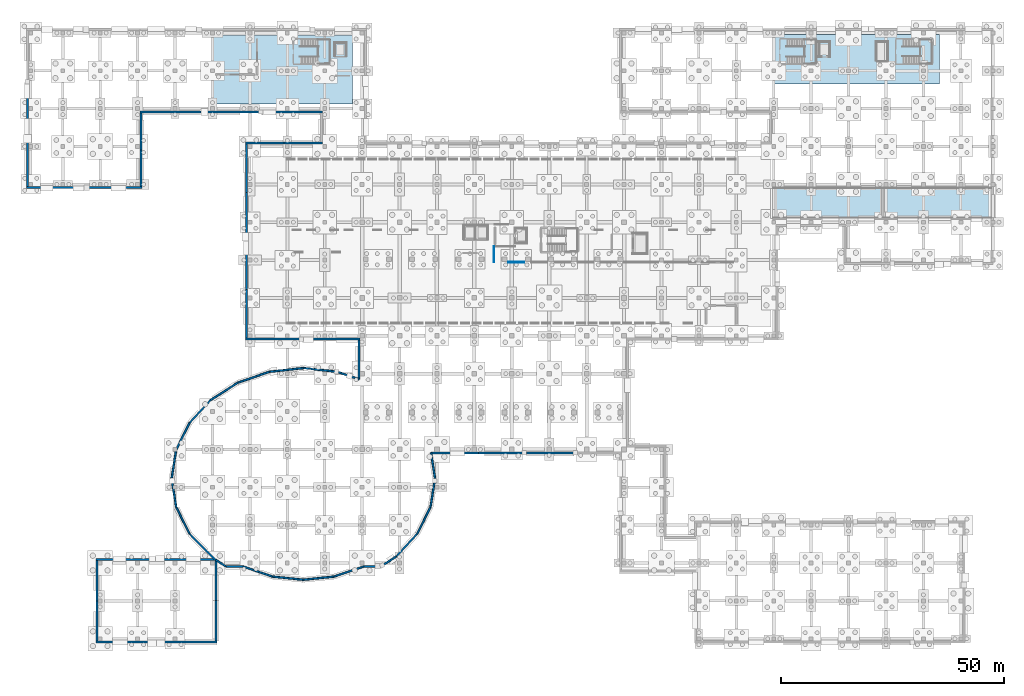
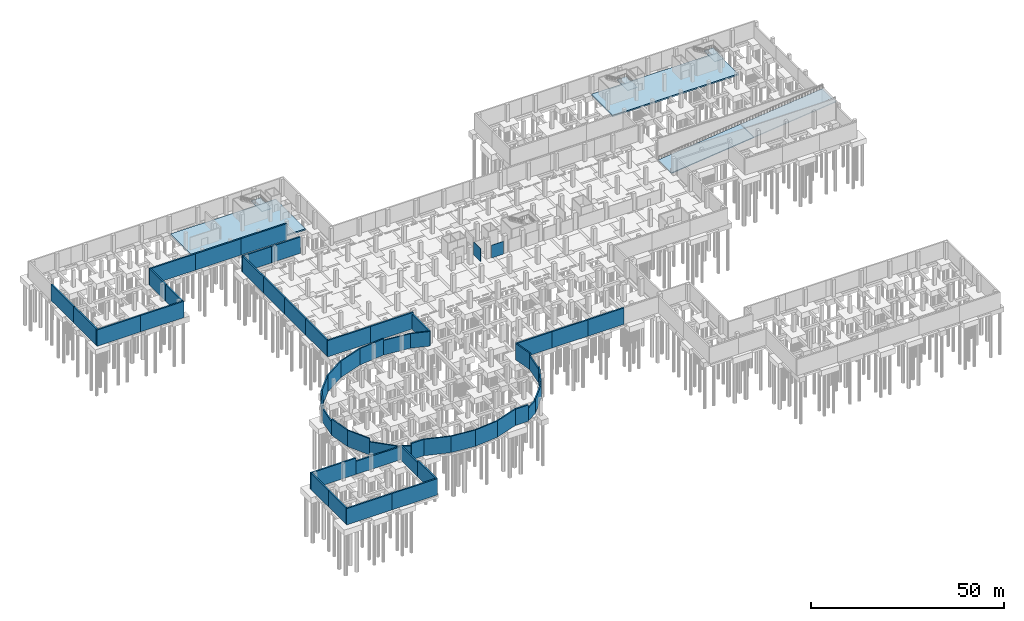
# One storey, part 24 of 34: 54 walls, 7 slabs, 3 elements without a shape of their own.
"""IFC4 building model written with IfcOpenShell, lengths in metres."""

from ifc_helpers import new_model, si_unit, direction, frame, frame_2d, origin, place, context, subcontext, project, spatial, polyline, rectangle, outline, extrude, material, layer, layer_set, type_object, element, aggregate, save


model = new_model("IFC4")

# Units and contexts
model_context = context("Model", 3, precision=1e-05, world=origin(), true_north=direction((0.0, 1.0)))
body_context = subcontext(model_context, "Body", "Model", "MODEL_VIEW")
ifc_project = project(units=[si_unit("LENGTHUNIT", "METRE"), si_unit("AREAUNIT", "SQUARE_METRE"), si_unit("VOLUMEUNIT", "CUBIC_METRE"), si_unit("PLANEANGLEUNIT", "RADIAN"), si_unit("MASSUNIT", "GRAM", prefix="KILO")], contexts=[model_context])

# Site, building, storey
site_placement = place(None, origin())
site = spatial("IfcSite", under=ifc_project, at=site_placement, CompositionType="ELEMENT")
building_placement = place(site_placement, origin())
building = spatial("IfcBuilding", under=site, at=building_placement, Name="Solvento Point Concert Hall", CompositionType="ELEMENT")
storey_placement = place(building_placement, frame((0.0, 0.0, -5.39990234375)))
storey = spatial("IfcBuildingStorey", under=building, at=storey_placement, Name="B01", CompositionType="ELEMENT", Elevation=-5.39990234375)

# Slabs
ifc_material_1 = material(Name="Concrete C40/50", Category="concrete")
ifc_layer_1 = layer(ifc_material_1, 0.449951171875)
ifc_layer_set_1 = layer_set([ifc_layer_1], Name="Concrete C40/50")
slab_type_1 = type_object("IfcSlabType", Name="BaseSlab_450", PredefinedType="BASESLAB", material=ifc_layer_set_1)
slab_1_placement = place(storey_placement, frame((0.0, 0.0, -0.4501953125)))
element("IfcSlab", 1, at=slab_1_placement, inside=storey, type_object=slab_type_1, Name="Structural slab SL-B02 SLAB-B01-NCW", PredefinedType="BASESLAB", context=body_context, shape_type="SweptSolid", body=[
    extrude(outline(polyline([(40.800048828125, 120.0), (40.800048828125, 135.39990234375), (72.199951171875, 135.39990234375), (72.199951171875, 120.0), (40.800048828125, 120.0)])), origin(), (0.0, 0.0, 1.0), 0.4501953125),
])
slab_2_placement = place(storey_placement, frame((0.0, 0.0, -0.4501953125)))
element("IfcSlab", 2, at=slab_2_placement, inside=storey, type_object=slab_type_1, Name="Structural slab SL-B02 SLAB-B01-NCE", PredefinedType="BASESLAB", context=body_context, shape_type="SweptSolid", body=[
    extrude(outline(polyline([(166.5, 124.5), (166.5, 135.60009765625), (204.0, 135.60009765625), (204.0, 124.5), (166.5, 124.5)])), origin(), (0.0, 0.0, 1.0), 0.4501953125),
])

# Stair, slab
ifc_material_2 = material(Name="Concrete C35/45", Category="concrete")
stair_type_1 = type_object("IfcStairType", Name="CoreStair_1600", PredefinedType="HALF_TURN_STAIR", material=ifc_material_2)
stair_1_placement = place(storey_placement, origin())
stair_1 = element("IfcStair", 3, at=stair_1_placement, inside=storey, type_object=stair_type_1, Name="Protected exit stair ST-01 (B01 to L00)", PredefinedType="HALF_TURN_STAIR")
ifc_material_3 = material(Name="Concrete C35/45", Category="concrete")
ifc_layer_2 = layer(ifc_material_3, 0.179931640625)
ifc_layer_set_2 = layer_set([ifc_layer_2], Name="Concrete C35/45")
slab_type_2 = type_object("IfcSlabType", Name="StairLanding_180", PredefinedType="LANDING", material=ifc_layer_set_2)
slab_3_placement = place(storey_placement, frame((0.0, 0.0, 2.52001953125)))
slab_3 = element("IfcSlab", 4, at=slab_3_placement, type_object=slab_type_2, Name="Stair half-landing ST-01 B01", PredefinedType="LANDING", context=body_context, shape_type="SweptSolid", body=[
    extrude(outline(polyline([(173.60009765625, 128.9599609375), (176.43994140625, 128.9599609375), (176.43994140625, 134.639892578125), (173.60009765625, 134.639892578125), (173.60009765625, 128.9599609375)])), origin(), (0.0, 0.0, 1.0), 0.179931640625),
])
aggregate(stair_1, [slab_3])

ifc_material_4 = material(Name="Concrete C35/45", Category="concrete")
stair_type_2 = type_object("IfcStairType", Name="CoreStair_1680", PredefinedType="HALF_TURN_STAIR", material=ifc_material_4)
stair_2_placement = place(storey_placement, origin())
stair_2 = element("IfcStair", 5, at=stair_2_placement, inside=storey, type_object=stair_type_2, Name="Protected exit stair ST-02 (B01 to L00)", PredefinedType="HALF_TURN_STAIR")
slab_4_placement = place(storey_placement, frame((0.0, 0.0, 2.52001953125)))
slab_4 = element("IfcSlab", 6, at=slab_4_placement, type_object=slab_type_2, Name="Stair half-landing ST-02 B01", PredefinedType="LANDING", context=body_context, shape_type="SweptSolid", body=[
    extrude(outline(polyline([(199.60009765625, 128.9599609375), (202.43994140625, 128.9599609375), (202.43994140625, 134.639892578125), (199.60009765625, 134.639892578125), (199.60009765625, 128.9599609375)])), origin(), (0.0, 0.0, 1.0), 0.179931640625),
])
aggregate(stair_2, [slab_4])

stair_3_placement = place(storey_placement, origin())
stair_3 = element("IfcStair", 7, at=stair_3_placement, inside=storey, type_object=stair_type_1, Name="Protected exit stair ST-04 (B01 to L00)", PredefinedType="HALF_TURN_STAIR")
slab_5_placement = place(storey_placement, frame((0.0, 0.0, 2.52001953125)))
slab_5 = element("IfcSlab", 8, at=slab_5_placement, type_object=slab_type_2, Name="Stair half-landing ST-04 B01", PredefinedType="LANDING", context=body_context, shape_type="SweptSolid", body=[
    extrude(outline(polyline([(64.39990234375, 128.9599609375), (67.239990234375, 128.9599609375), (67.239990234375, 134.639892578125), (64.39990234375, 134.639892578125), (64.39990234375, 128.9599609375)])), origin(), (0.0, 0.0, 1.0), 0.179931640625),
])
aggregate(stair_3, [slab_5])

# Slabs
ifc_material_5 = material(Name="Concrete C35/45", Category="concrete")
ifc_layer_3 = layer(ifc_material_5, 0.25)
ifc_layer_set_3 = layer_set([ifc_layer_3], Name="Concrete C35/45")
slab_type_3 = type_object("IfcSlabType", Name="VehicleRampSlab_250", PredefinedType="FLOOR", material=ifc_layer_set_3)
slab_6_placement = place(storey_placement, frame((166.679931640625, 94.43994140625, 0.0), z_axis=(-0.109121021914, 0.0, 0.994028471713), x_axis=(0.994028471713, 0.0, 0.109121021914)))
element("IfcSlab", 9, at=slab_6_placement, inside=storey, type_object=slab_type_3, Name="Car park vehicle ramp structural slab RMP-V1 lower", PredefinedType="FLOOR", context=body_context, shape_type="SweptSolid", body=[
    extrude(outline(polyline([(0.0, 0.0), (24.74272257085073, 0.0), (24.74272257085073, 6.820068359374999), (0.0, 6.820068359374999), (0.0, 0.0)])), origin(), (0.0, 0.0, -1.0), 0.25),
])
slab_7_placement = place(storey_placement, frame((191.27490234375, 94.43994140625, 2.699951171875), z_axis=(-0.108902050935, 0.0, 0.994052485185), x_axis=(0.994052485185, 0.0, 0.108902050935)))
element("IfcSlab", 10, at=slab_7_placement, inside=storey, type_object=slab_type_3, Name="Car park vehicle ramp structural slab RMP-V1 upper", PredefinedType="FLOOR", context=body_context, shape_type="SweptSolid", body=[
    extrude(outline(polyline([(0.0, 0.0), (24.792473132509457, 0.0), (24.792473132509457, 6.820068359375), (0.0, 6.820068359375), (0.0, 0.0)])), origin(), (0.0, 0.0, -1.0), 0.25),
])

# Walls
ifc_material_6 = material(Name="Acoustic Double-Stud Gypsum Partition")
ifc_layer_4 = layer(ifc_material_6, 0.1201171875)
ifc_layer_set_4 = layer_set([ifc_layer_4], Name="Acoustic Double-Stud Gypsum Partition")
wall_type_1 = type_object("IfcWallType", Name="AcousticPartition_120", PredefinedType="PARTITIONING", material=ifc_layer_set_4)
wall_1_placement = place(storey_placement, frame((110.800048828125, 84.52001953125, 0.0), z_axis=(0.0, 0.0, 1.0), x_axis=(-1.0, 0.0, 0.0)))
element("IfcWall", 11, at=wall_1_placement, inside=storey, type_object=wall_type_1, Name="Interior acoustic partition PW-52 B01", PredefinedType="PARTITIONING", context=body_context, shape_type="SweptSolid", body=[
    extrude(rectangle(XDim=3.60009765625, YDim=0.1201171875, at=frame_2d((1.800048828125, 0.0))), origin(), (0.0, 0.0, 1.0), 4.02001953125),
])
wall_2_placement = place(storey_placement, frame((104.02001953125, 84.52001953125, 0.0), z_axis=(0.0, 0.0, 1.0), x_axis=(0.0, 1.0, 0.0)))
element("IfcWall", 12, at=wall_2_placement, inside=storey, type_object=wall_type_1, Name="Interior acoustic partition PW-52 B01", PredefinedType="PARTITIONING", context=body_context, shape_type="SweptSolid", body=[
    extrude(rectangle(XDim=3.556884765625, YDim=0.1201171875, at=frame_2d((1.7783203125, 0.0))), origin(), (0.0, 0.0, 1.0), 4.02001953125),
])
ifc_material_7 = material(Name="Concrete C35/45", Category="concrete")
ifc_layer_5 = layer(ifc_material_7, 0.3798828125)
ifc_layer_set_5 = layer_set([ifc_layer_5], Name="Concrete C35/45")
wall_type_2 = type_object("IfcWallType", Name="RetainingWall_380", PredefinedType="USERDEFINED", material=ifc_layer_set_5)
wall_3_placement = place(storey_placement, frame((35.650390625, 23.52734375, 0.0), z_axis=(0.0, 0.0, 1.0), x_axis=(-0.445137461491, 0.895462249555, 0.0)))
element("IfcWall", 13, at=wall_3_placement, inside=storey, type_object=wall_type_2, Name="Headland plinth retaining wall RW-02", ObjectType="RETAINING WALL", PredefinedType="USERDEFINED", context=body_context, shape_type="SweptSolid", body=[
    extrude(rectangle(XDim=6.77734375, YDim=0.3798828125, at=frame_2d((3.388671875, 0.0))), origin(), (0.0, 0.0, 1.0), 5.15478515625),
])
wall_4_placement = place(storey_placement, frame((32.66064453125, 29.51171875, 0.0), z_axis=(0.0, 0.0, 1.0), x_axis=(-0.156036501289, 0.987751289681, 0.0)))
element("IfcWall", 14, at=wall_4_placement, inside=storey, type_object=wall_type_2, Name="Headland plinth retaining wall RW-02", ObjectType="RETAINING WALL", PredefinedType="USERDEFINED", context=body_context, shape_type="SweptSolid", body=[
    extrude(rectangle(XDim=6.61376953125, YDim=0.3798828125, at=frame_2d((3.306884765625, 0.0))), origin(), (0.0, 0.0, 1.0), 5.15478515625),
])
wall_5_placement = place(storey_placement, frame((31.628662109375, 35.95556640625, 0.0), z_axis=(0.0, 0.0, 1.0), x_axis=(0.156036501289, 0.987751289681, 0.0)))
element("IfcWall", 15, at=wall_5_placement, inside=storey, type_object=wall_type_2, Name="Headland plinth retaining wall RW-02", ObjectType="RETAINING WALL", PredefinedType="USERDEFINED", context=body_context, shape_type="SweptSolid", body=[
    extrude(rectangle(XDim=6.61376953125, YDim=0.3798828125, at=frame_2d((3.306884765625, 0.0))), origin(), (0.0, 0.0, 1.0), 4.216796875),
])
wall_6_placement = place(storey_placement, frame((32.633544921875, 42.40380859375, 0.0), z_axis=(0.0, 0.0, 1.0), x_axis=(0.445137461491, 0.895462249555, 0.0)))
element("IfcWall", 16, at=wall_6_placement, inside=storey, type_object=wall_type_2, Name="Headland plinth retaining wall RW-02", ObjectType="RETAINING WALL", PredefinedType="USERDEFINED", context=body_context, shape_type="SweptSolid", body=[
    extrude(rectangle(XDim=6.77734375, YDim=0.3798828125, at=frame_2d((3.388671875, 0.0))), origin(), (0.0, 0.0, 1.0), 5.15478515625),
])
wall_7_placement = place(storey_placement, frame((35.599853515625, 48.399169921875, 0.0), z_axis=(0.0, 0.0, 1.0), x_axis=(0.677356466396, 0.735654958137, 0.0)))
element("IfcWall", 17, at=wall_7_placement, inside=storey, type_object=wall_type_2, Name="Headland plinth retaining wall RW-02", ObjectType="RETAINING WALL", PredefinedType="USERDEFINED", context=body_context, shape_type="SweptSolid", body=[
    extrude(rectangle(XDim=7.05224609375, YDim=0.3798828125, at=frame_2d((3.526123046875, 0.0))), origin(), (0.0, 0.0, 1.0), 5.15478515625),
])
wall_8_placement = place(storey_placement, frame((40.308349609375, 53.52978515625, 0.0), z_axis=(0.0, 0.0, 1.0), x_axis=(0.842496718932, 0.538701474463, 0.0)))
element("IfcWall", 18, at=wall_8_placement, inside=storey, type_object=wall_type_2, Name="Headland plinth retaining wall RW-02", ObjectType="RETAINING WALL", PredefinedType="USERDEFINED", context=body_context, shape_type="SweptSolid", body=[
    extrude(rectangle(XDim=7.357177734375, YDim=0.3798828125, at=frame_2d((3.6787109375, 0.0))), origin(), (0.0, 0.0, 1.0), 5.15478515625),
])
wall_9_placement = place(storey_placement, frame((46.426513671875, 57.454345703125, 0.0), z_axis=(0.0, 0.0, 1.0), x_axis=(0.945265227279, 0.326303003506, 0.0)))
element("IfcWall", 19, at=wall_9_placement, inside=storey, type_object=wall_type_2, Name="Headland plinth retaining wall RW-02", ObjectType="RETAINING WALL", PredefinedType="USERDEFINED", context=body_context, shape_type="SweptSolid", body=[
    extrude(rectangle(XDim=7.6123046875, YDim=0.3798828125, at=frame_2d((3.80615234375, 0.0))), origin(), (0.0, 0.0, 1.0), 5.15478515625),
])
wall_10_placement = place(storey_placement, frame((53.534912109375, 59.918701171875, 0.0), z_axis=(0.0, 0.0, 1.0), x_axis=(0.994037461308, 0.109039100857, 0.0)))
element("IfcWall", 20, at=wall_10_placement, inside=storey, type_object=wall_type_2, Name="Headland plinth retaining wall RW-02", ObjectType="RETAINING WALL", PredefinedType="USERDEFINED", context=body_context, shape_type="SweptSolid", body=[
    extrude(rectangle(XDim=7.755859375, YDim=0.3798828125, at=frame_2d((3.8779296875, 0.0))), origin(), (0.0, 0.0, 1.0), 5.15478515625),
])
wall_11_placement = place(storey_placement, frame((61.1552734375, 60.764404296875, 0.0), z_axis=(0.0, 0.0, 1.0), x_axis=(0.994037461308, -0.109039100857, 0.0)))
element("IfcWall", 21, at=wall_11_placement, inside=storey, type_object=wall_type_2, Name="Headland plinth retaining wall RW-02", ObjectType="RETAINING WALL", PredefinedType="USERDEFINED", context=body_context, shape_type="SweptSolid", body=[
    extrude(rectangle(XDim=7.755859375, YDim=0.3798828125, at=frame_2d((3.8779296875, 0.0))), origin(), (0.0, 0.0, 1.0), 4.594970703125),
])
wall_12_placement = place(storey_placement, frame((68.77783203125, 59.938232421875, 0.0), z_axis=(0.0, 0.0, 1.0), x_axis=(0.945264033883, -0.326306460627, 0.0)))
element("IfcWall", 22, at=wall_12_placement, inside=storey, type_object=wall_type_2, Name="Headland plinth retaining wall RW-02", ObjectType="RETAINING WALL", PredefinedType="USERDEFINED", context=body_context, shape_type="SweptSolid", body=[
    extrude(rectangle(XDim=5.19384765625, YDim=0.3798828125, at=frame_2d((2.596923828125, 0.0))), origin(), (0.0, 0.0, 1.0), 4.594970703125),
])
wall_13_placement = place(storey_placement, frame((89.849853515625, 41.789306640625, 0.0), z_axis=(0.0, 0.0, 1.0), x_axis=(0.156047481496, -0.987749555059, 0.0)))
element("IfcWall", 23, at=wall_13_placement, inside=storey, type_object=wall_type_2, Name="Headland plinth retaining wall RW-02", ObjectType="RETAINING WALL", PredefinedType="USERDEFINED", context=body_context, shape_type="SweptSolid", body=[
    extrude(rectangle(XDim=5.906005859375, YDim=0.3798828125, at=frame_2d((2.953125, 0.0))), origin(), (0.0, 0.0, 1.0), 5.15478515625),
])
wall_14_placement = place(storey_placement, frame((90.771484375, 36.04443359375, 0.0), z_axis=(0.0, 0.0, 1.0), x_axis=(-0.156036501289, -0.987751289681, 0.0)))
element("IfcWall", 24, at=wall_14_placement, inside=storey, type_object=wall_type_2, Name="Headland plinth retaining wall RW-02", ObjectType="RETAINING WALL", PredefinedType="USERDEFINED", context=body_context, shape_type="SweptSolid", body=[
    extrude(rectangle(XDim=6.61376953125, YDim=0.3798828125, at=frame_2d((3.306884765625, 0.0))), origin(), (0.0, 0.0, 1.0), 4.365966796875),
])
wall_15_placement = place(storey_placement, frame((89.766357421875, 29.59619140625, 0.0), z_axis=(0.0, 0.0, 1.0), x_axis=(-0.445108575578, -0.895476608264, 0.0)))
element("IfcWall", 25, at=wall_15_placement, inside=storey, type_object=wall_type_2, Name="Headland plinth retaining wall RW-02", ObjectType="RETAINING WALL", PredefinedType="USERDEFINED", context=body_context, shape_type="SweptSolid", body=[
    extrude(rectangle(XDim=6.77734375, YDim=0.3798828125, at=frame_2d((3.388671875, 0.0))), origin(), (0.0, 0.0, 1.0), 5.15478515625),
])
wall_16_placement = place(storey_placement, frame((86.80029296875, 23.600830078125, 0.0), z_axis=(0.0, 0.0, 1.0), x_axis=(-0.677375201163, -0.735637707605, 0.0)))
element("IfcWall", 26, at=wall_16_placement, inside=storey, type_object=wall_type_2, Name="Headland plinth retaining wall RW-02", ObjectType="RETAINING WALL", PredefinedType="USERDEFINED", context=body_context, shape_type="SweptSolid", body=[
    extrude(rectangle(XDim=7.052490234375, YDim=0.3798828125, at=frame_2d((3.5263671875, 0.0))), origin(), (0.0, 0.0, 1.0), 4.4248046875),
])
wall_17_placement = place(storey_placement, frame((82.091796875, 18.47021484375, 0.0), z_axis=(0.0, 0.0, 1.0), x_axis=(-0.842494308835, -0.538705243692, 0.0)))
element("IfcWall", 27, at=wall_17_placement, inside=storey, type_object=wall_type_2, Name="Headland plinth retaining wall RW-02", ObjectType="RETAINING WALL", PredefinedType="USERDEFINED", context=body_context, shape_type="SweptSolid", body=[
    extrude(rectangle(XDim=4.17578125, YDim=0.3798828125, at=frame_2d((2.087890625, 0.0))), origin(), (0.0, 0.0, 1.0), 4.046875),
])
wall_18_placement = place(storey_placement, frame((74.888916015625, 16.259521484375, 0.0), z_axis=(0.0, 0.0, 1.0), x_axis=(-0.947194669126, -0.320659100572, 0.0)))
element("IfcWall", 28, at=wall_18_placement, inside=storey, type_object=wall_type_2, Name="Headland plinth retaining wall RW-02", ObjectType="RETAINING WALL", PredefinedType="USERDEFINED", context=body_context, shape_type="SweptSolid", body=[
    extrude(rectangle(XDim=7.283203125, YDim=0.3798828125, at=frame_2d((3.6416015625, 0.0))), origin(), (0.0, 0.0, 1.0), 5.15478515625),
])
wall_19_placement = place(storey_placement, frame((68.07763671875, 13.943115234375, 0.0), z_axis=(0.0, 0.0, 1.0), x_axis=(-0.994831538948, -0.101539199891, 0.0)))
element("IfcWall", 29, at=wall_19_placement, inside=storey, type_object=wall_type_2, Name="Headland plinth retaining wall RW-02", ObjectType="RETAINING WALL", PredefinedType="USERDEFINED", context=body_context, shape_type="SweptSolid", body=[
    extrude(rectangle(XDim=6.958251953125, YDim=0.3798828125, at=frame_2d((3.47900390625, 0.0))), origin(), (0.0, 0.0, 1.0), 5.15478515625),
])
wall_20_placement = place(storey_placement, frame((61.244873046875, 13.236572265625, 0.0), z_axis=(0.0, 0.0, 1.0), x_axis=(-0.994831900674, 0.101535655812, 0.0)))
element("IfcWall", 30, at=wall_20_placement, inside=storey, type_object=wall_type_2, Name="Headland plinth retaining wall RW-02", ObjectType="RETAINING WALL", PredefinedType="USERDEFINED", context=body_context, shape_type="SweptSolid", body=[
    extrude(rectangle(XDim=6.95849609375, YDim=0.3798828125, at=frame_2d((3.479248046875, 0.0))), origin(), (0.0, 0.0, 1.0), 5.15478515625),
])
wall_21_placement = place(storey_placement, frame((54.40966796875, 13.924072265625, 0.0), z_axis=(0.0, 0.0, 1.0), x_axis=(-0.947194669126, 0.320659100572, 0.0)))
element("IfcWall", 31, at=wall_21_placement, inside=storey, type_object=wall_type_2, Name="Headland plinth retaining wall RW-02", ObjectType="RETAINING WALL", PredefinedType="USERDEFINED", context=body_context, shape_type="SweptSolid", body=[
    extrude(rectangle(XDim=7.283203125, YDim=0.3798828125, at=frame_2d((3.6416015625, 0.0))), origin(), (0.0, 0.0, 1.0), 5.15478515625),
])
wall_22_placement = place(storey_placement, frame((43.826171875, 16.220703125, 0.0), z_axis=(0.0, 0.0, 1.0), x_axis=(-0.842478406769, 0.538730112512, 0.0)))
element("IfcWall", 32, at=wall_22_placement, inside=storey, type_object=wall_type_2, Name="Headland plinth retaining wall RW-02", ObjectType="RETAINING WALL", PredefinedType="USERDEFINED", context=body_context, shape_type="SweptSolid", body=[
    extrude(rectangle(XDim=2.74072265625, YDim=0.3798828125, at=frame_2d((1.370361328125, 0.0))), origin(), (0.0, 0.0, 1.0), 4.4248046875),
])
wall_23_placement = place(storey_placement, frame((41.45849609375, 17.72314453125, 0.0), z_axis=(0.0, 0.0, 1.0), x_axis=(-0.706120590962, 0.708091597902, 0.0)))
element("IfcWall", 33, at=wall_23_placement, inside=storey, type_object=wall_type_2, Name="Headland plinth retaining wall RW-02", ObjectType="RETAINING WALL", PredefinedType="USERDEFINED", context=body_context, shape_type="SweptSolid", body=[
    extrude(rectangle(XDim=8.299072265625, YDim=0.3798828125, at=frame_2d((4.1494140625, 0.0))), origin(), (0.0, 0.0, 1.0), 4.114990234375),
])
ifc_material_8 = material(Name="Concrete C35/45", Category="concrete")
ifc_layer_6 = layer(ifc_material_8, 0.449951171875)
ifc_layer_set_6 = layer_set([ifc_layer_6], Name="Concrete C35/45")
wall_type_3 = type_object("IfcWallType", Name="RetainingWall_450", PredefinedType="USERDEFINED", material=ifc_layer_set_6)
wall_24_placement = place(storey_placement, frame((73.64501953125, 58.213134765625, 0.0), z_axis=(0.0, 0.0, 1.0), x_axis=(0.0, 1.0, 0.0)))
element("IfcWall", 34, at=wall_24_placement, inside=storey, type_object=wall_type_3, Name="Headland plinth retaining wall RW-01", ObjectType="RETAINING WALL", PredefinedType="USERDEFINED", context=body_context, shape_type="SweptSolid", body=[
    extrude(rectangle(XDim=8.806884765625, YDim=0.449951171875, at=frame_2d((4.4033203125, 0.0))), origin(), (0.0, 0.0, 1.0), 4.594970703125),
])
wall_25_placement = place(storey_placement, frame((73.8701171875, 67.2451171875, 0.0), z_axis=(0.0, 0.0, 1.0), x_axis=(-1.0, 0.0, 0.0)))
element("IfcWall", 35, at=wall_25_placement, inside=storey, type_object=wall_type_3, Name="Headland plinth retaining wall RW-01", ObjectType="RETAINING WALL", PredefinedType="USERDEFINED", context=body_context, shape_type="SweptSolid", body=[
    extrude(rectangle(XDim=12.8251953125, YDim=0.449951171875, at=frame_2d((6.41259765625, 0.0))), origin(), (0.0, 0.0, 1.0), 5.15478515625),
])
wall_26_placement = place(storey_placement, frame((61.044921875, 67.2451171875, 0.0), z_axis=(0.0, 0.0, 1.0), x_axis=(-1.0, 0.0, 0.0)))
element("IfcWall", 36, at=wall_26_placement, inside=storey, type_object=wall_type_3, Name="Headland plinth retaining wall RW-01", ObjectType="RETAINING WALL", PredefinedType="USERDEFINED", context=body_context, shape_type="SweptSolid", body=[
    extrude(rectangle(XDim=12.824951171875, YDim=0.449951171875, at=frame_2d((6.41259765625, 0.0))), origin(), (0.0, 0.0, 1.0), 5.15478515625),
])
wall_27_placement = place(storey_placement, frame((48.445068359375, 67.469970703125, 0.0), z_axis=(0.0, 0.0, 1.0), x_axis=(0.0, 1.0, 0.0)))
element("IfcWall", 37, at=wall_27_placement, inside=storey, type_object=wall_type_3, Name="Headland plinth retaining wall RW-01", ObjectType="RETAINING WALL", PredefinedType="USERDEFINED", context=body_context, shape_type="SweptSolid", body=[
    extrude(rectangle(XDim=10.89013671875, YDim=0.449951171875, at=frame_2d((5.445068359375, 0.0))), origin(), (0.0, 0.0, 1.0), 5.15478515625),
])
for number, where, z_axis, x_axis, name in (
    (38, (48.445068359375, 78.360107421875, 0.0), (0.0, 0.0, 1.0), (0.0, 1.0, 0.0), "Headland plinth retaining wall RW-01"),
    (39, (48.445068359375, 89.25, 0.0), (0.0, 0.0, 1.0), (0.0, 1.0, 0.0), "Headland plinth retaining wall RW-01"),
):
    element("IfcWall", number, at=place(storey_placement, frame(where, z_axis=z_axis, x_axis=x_axis)), inside=storey, type_object=wall_type_3, Name=name, ObjectType="RETAINING WALL", PredefinedType="USERDEFINED", context=body_context, shape_type="SweptSolid", body=[
        extrude(rectangle(XDim=10.889892578125, YDim=0.449951171875, at=frame_2d((5.44482421875, 0.0))), origin(), (0.0, 0.0, 1.0), 5.15478515625),
    ])
wall_28_placement = place(storey_placement, frame((48.445068359375, 100.139892578125, 0.0), z_axis=(0.0, 0.0, 1.0), x_axis=(0.0, 1.0, 0.0)))
element("IfcWall", 40, at=wall_28_placement, inside=storey, type_object=wall_type_3, Name="Headland plinth retaining wall RW-01", ObjectType="RETAINING WALL", PredefinedType="USERDEFINED", context=body_context, shape_type="SweptSolid", body=[
    extrude(rectangle(XDim=10.89013671875, YDim=0.449951171875, at=frame_2d((5.445068359375, 0.0))), origin(), (0.0, 0.0, 1.0), 5.15478515625),
])
for number, where, z_axis, x_axis, name in (
    (41, (48.219970703125, 111.2548828125, 0.0), (0.0, 0.0, 1.0), (1.0, 0.0, 0.0), "Headland plinth retaining wall RW-01"),
    (42, (56.844970703125, 111.2548828125, 0.0), (0.0, 0.0, 1.0), (1.0, 0.0, 0.0), "Headland plinth retaining wall RW-01"),
):
    element("IfcWall", number, at=place(storey_placement, frame(where, z_axis=z_axis, x_axis=x_axis)), inside=storey, type_object=wall_type_3, Name=name, ObjectType="RETAINING WALL", PredefinedType="USERDEFINED", context=body_context, shape_type="SweptSolid", body=[
        extrude(rectangle(XDim=8.625, YDim=0.449951171875, at=frame_2d((4.3125, 0.0))), origin(), (0.0, 0.0, 1.0), 5.15478515625),
    ])
wall_29_placement = place(storey_placement, frame((65.469970703125, 118.2451171875, 0.0), z_axis=(0.0, 0.0, 1.0), x_axis=(-1.0, 0.0, 0.0)))
element("IfcWall", 43, at=wall_29_placement, inside=storey, type_object=wall_type_3, Name="Headland plinth retaining wall RW-01", ObjectType="RETAINING WALL", PredefinedType="USERDEFINED", context=body_context, shape_type="SweptSolid", body=[
    extrude(rectangle(XDim=13.646728515625, YDim=0.449951171875, at=frame_2d((6.8232421875, 0.0))), origin(), (0.0, 0.0, 1.0), 5.15478515625),
])
wall_30_placement = place(storey_placement, frame((51.8232421875, 118.2451171875, 0.0), z_axis=(0.0, 0.0, 1.0), x_axis=(-1.0, 0.0, 0.0)))
element("IfcWall", 44, at=wall_30_placement, inside=storey, type_object=wall_type_3, Name="Headland plinth retaining wall RW-01", ObjectType="RETAINING WALL", PredefinedType="USERDEFINED", context=body_context, shape_type="SweptSolid", body=[
    extrude(rectangle(XDim=13.646484375, YDim=0.449951171875, at=frame_2d((6.8232421875, 0.0))), origin(), (0.0, 0.0, 1.0), 5.15478515625),
])
wall_31_placement = place(storey_placement, frame((38.1767578125, 118.2451171875, 0.0), z_axis=(0.0, 0.0, 1.0), x_axis=(-1.0, 0.0, 0.0)))
element("IfcWall", 45, at=wall_31_placement, inside=storey, type_object=wall_type_3, Name="Headland plinth retaining wall RW-01", ObjectType="RETAINING WALL", PredefinedType="USERDEFINED", context=body_context, shape_type="SweptSolid", body=[
    extrude(rectangle(XDim=13.646728515625, YDim=0.449951171875, at=frame_2d((6.8232421875, 0.0))), origin(), (0.0, 0.0, 1.0), 5.15478515625),
])
wall_32_placement = place(storey_placement, frame((24.7548828125, 118.02001953125, 0.0), z_axis=(0.0, 0.0, 1.0), x_axis=(0.0, -1.0, 0.0)))
element("IfcWall", 46, at=wall_32_placement, inside=storey, type_object=wall_type_3, Name="Headland plinth retaining wall RW-01", ObjectType="RETAINING WALL", PredefinedType="USERDEFINED", context=body_context, shape_type="SweptSolid", body=[
    extrude(rectangle(XDim=8.27490234375, YDim=0.449951171875, at=frame_2d((4.137451171875, 0.0))), origin(), (0.0, 0.0, 1.0), 5.15478515625),
])
wall_33_placement = place(storey_placement, frame((24.7548828125, 109.7451171875, 0.0), z_axis=(0.0, 0.0, 1.0), x_axis=(0.0, -1.0, 0.0)))
element("IfcWall", 47, at=wall_33_placement, inside=storey, type_object=wall_type_3, Name="Headland plinth retaining wall RW-01", ObjectType="RETAINING WALL", PredefinedType="USERDEFINED", context=body_context, shape_type="SweptSolid", body=[
    extrude(rectangle(XDim=8.275146484375, YDim=0.449951171875, at=frame_2d((4.1376953125, 0.0))), origin(), (0.0, 0.0, 1.0), 5.15478515625),
])
for number, where, z_axis, x_axis, name in (
    (48, (24.97998046875, 101.2451171875, 0.0), (0.0, 0.0, 1.0), (-1.0, 0.0, 0.0), "Headland plinth retaining wall RW-01"),
    (49, (12.0, 101.2451171875, 0.0), (0.0, 0.0, 1.0), (-1.0, 0.0, 0.0), "Headland plinth retaining wall RW-01"),
):
    element("IfcWall", number, at=place(storey_placement, frame(where, z_axis=z_axis, x_axis=x_axis)), inside=storey, type_object=wall_type_3, Name=name, ObjectType="RETAINING WALL", PredefinedType="USERDEFINED", context=body_context, shape_type="SweptSolid", body=[
        extrude(rectangle(XDim=12.97998046875, YDim=0.449951171875, at=frame_2d((6.489990234375, 0.0))), origin(), (0.0, 0.0, 1.0), 5.15478515625),
    ])
wall_34_placement = place(storey_placement, frame((-0.7548828125, 101.469970703125, 0.0), z_axis=(0.0, 0.0, 1.0), x_axis=(0.0, 1.0, 0.0)))
element("IfcWall", 50, at=wall_34_placement, inside=storey, type_object=wall_type_3, Name="Headland plinth retaining wall RW-01", ObjectType="RETAINING WALL", PredefinedType="USERDEFINED", context=body_context, shape_type="SweptSolid", body=[
    extrude(rectangle(XDim=11.686767578125, YDim=0.449951171875, at=frame_2d((5.84326171875, 0.0))), origin(), (0.0, 0.0, 1.0), 5.15478515625),
])
wall_35_placement = place(storey_placement, frame((-0.7548828125, 113.15673828125, 0.0), z_axis=(0.0, 0.0, 1.0), x_axis=(0.0, 1.0, 0.0)))
element("IfcWall", 51, at=wall_35_placement, inside=storey, type_object=wall_type_3, Name="Headland plinth retaining wall RW-01", ObjectType="RETAINING WALL", PredefinedType="USERDEFINED", context=body_context, shape_type="SweptSolid", body=[
    extrude(rectangle(XDim=11.6865234375, YDim=0.449951171875, at=frame_2d((5.84326171875, 0.0))), origin(), (0.0, 0.0, 1.0), 5.15478515625),
])
wall_36_placement = place(storey_placement, frame((121.955322265625, 41.7451171875, 0.0), z_axis=(0.0, 0.0, 1.0), x_axis=(-1.0, 0.0, 0.0)))
element("IfcWall", 52, at=wall_36_placement, inside=storey, type_object=wall_type_3, Name="Headland plinth retaining wall RW-01", ObjectType="RETAINING WALL", PredefinedType="USERDEFINED", context=body_context, shape_type="SweptSolid", body=[
    extrude(rectangle(XDim=10.71435546875, YDim=0.449951171875, at=frame_2d((5.357177734375, 0.0))), origin(), (0.0, 0.0, 1.0), 5.15478515625),
])
for number, where, z_axis, x_axis, name in (
    (53, (111.240966796875, 41.7451171875, 0.0), (0.0, 0.0, 1.0), (-1.0, 0.0, 0.0), "Headland plinth retaining wall RW-01"),
    (54, (100.5263671875, 41.7451171875, 0.0), (0.0, 0.0, 1.0), (-1.0, 0.0, 0.0), "Headland plinth retaining wall RW-01"),
):
    element("IfcWall", number, at=place(storey_placement, frame(where, z_axis=z_axis, x_axis=x_axis)), inside=storey, type_object=wall_type_3, Name=name, ObjectType="RETAINING WALL", PredefinedType="USERDEFINED", context=body_context, shape_type="SweptSolid", body=[
        extrude(rectangle(XDim=10.714599609375, YDim=0.449951171875, at=frame_2d((5.357421875, 0.0))), origin(), (0.0, 0.0, 1.0), 5.15478515625),
    ])
for number, where, z_axis, x_axis, name in (
    (55, (78.65673828125, 16.2451171875, 0.0), (0.0, 0.0, 1.0), (-1.0, 0.0, 0.0), "Headland plinth retaining wall RW-01"),
    (56, (47.5986328125, 16.2451171875, 0.0), (0.0, 0.0, 1.0), (-1.0, 0.0, 0.0), "Headland plinth retaining wall RW-01"),
):
    element("IfcWall", number, at=place(storey_placement, frame(where, z_axis=z_axis, x_axis=x_axis)), inside=storey, type_object=wall_type_3, Name=name, ObjectType="RETAINING WALL", PredefinedType="USERDEFINED", context=body_context, shape_type="SweptSolid", body=[
        extrude(rectangle(XDim=3.855224609375, YDim=0.449951171875, at=frame_2d((1.927734375, 0.0))), origin(), (0.0, 0.0, 1.0), 5.15478515625),
    ])
wall_37_placement = place(storey_placement, frame((41.554931640625, 17.718017578125, 0.0), z_axis=(0.0, 0.0, 1.0), x_axis=(0.0, -1.0, 0.0)))
element("IfcWall", 57, at=wall_37_placement, inside=storey, type_object=wall_type_3, Name="Headland plinth retaining wall RW-01", ObjectType="RETAINING WALL", PredefinedType="USERDEFINED", context=body_context, shape_type="SweptSolid", body=[
    extrude(rectangle(XDim=9.1240234375, YDim=0.449951171875, at=frame_2d((4.56201171875, 0.0))), origin(), (0.0, 0.0, 1.0), 4.4248046875),
])
wall_38_placement = place(storey_placement, frame((41.554931640625, 8.593994140625, 0.0), z_axis=(0.0, 0.0, 1.0), x_axis=(0.0, -1.0, 0.0)))
element("IfcWall", 58, at=wall_38_placement, inside=storey, type_object=wall_type_3, Name="Headland plinth retaining wall RW-01", ObjectType="RETAINING WALL", PredefinedType="USERDEFINED", context=body_context, shape_type="SweptSolid", body=[
    extrude(rectangle(XDim=9.1240234375, YDim=0.449951171875, at=frame_2d((4.56201171875, 0.0))), origin(), (0.0, 0.0, 1.0), 5.15478515625),
])
wall_39_placement = place(storey_placement, frame((41.780029296875, -0.7548828125, 0.0), z_axis=(0.0, 0.0, 1.0), x_axis=(-1.0, 0.0, 0.0)))
element("IfcWall", 59, at=wall_39_placement, inside=storey, type_object=wall_type_3, Name="Headland plinth retaining wall RW-01", ObjectType="RETAINING WALL", PredefinedType="USERDEFINED", context=body_context, shape_type="SweptSolid", body=[
    extrude(rectangle(XDim=13.580078125, YDim=0.449951171875, at=frame_2d((6.7900390625, 0.0))), origin(), (0.0, 0.0, 1.0), 5.15478515625),
])
wall_40_placement = place(storey_placement, frame((28.199951171875, -0.7548828125, 0.0), z_axis=(0.0, 0.0, 1.0), x_axis=(-1.0, 0.0, 0.0)))
element("IfcWall", 60, at=wall_40_placement, inside=storey, type_object=wall_type_3, Name="Headland plinth retaining wall RW-01", ObjectType="RETAINING WALL", PredefinedType="USERDEFINED", context=body_context, shape_type="SweptSolid", body=[
    extrude(rectangle(XDim=13.579833984375, YDim=0.449951171875, at=frame_2d((6.7900390625, 0.0))), origin(), (0.0, 0.0, 1.0), 5.15478515625),
])
for number, where, z_axis, x_axis, name in (
    (61, (14.844970703125, -0.530029296875, 0.0), (0.0, 0.0, 1.0), (0.0, 1.0, 0.0), "Headland plinth retaining wall RW-01"),
    (62, (14.844970703125, 8.5, 0.0), (0.0, 0.0, 1.0), (0.0, 1.0, 0.0), "Headland plinth retaining wall RW-01"),
):
    element("IfcWall", number, at=place(storey_placement, frame(where, z_axis=z_axis, x_axis=x_axis)), inside=storey, type_object=wall_type_3, Name=name, ObjectType="RETAINING WALL", PredefinedType="USERDEFINED", context=body_context, shape_type="SweptSolid", body=[
        extrude(rectangle(XDim=9.030029296875, YDim=0.449951171875, at=frame_2d((4.51513671875, 0.0))), origin(), (0.0, 0.0, 1.0), 5.15478515625),
    ])
wall_41_placement = place(storey_placement, frame((14.6201171875, 17.7548828125, 0.0), z_axis=(0.0, 0.0, 1.0), x_axis=(1.0, 0.0, 0.0)))
element("IfcWall", 63, at=wall_41_placement, inside=storey, type_object=wall_type_3, Name="Headland plinth retaining wall RW-01", ObjectType="RETAINING WALL", PredefinedType="USERDEFINED", context=body_context, shape_type="SweptSolid", body=[
    extrude(rectangle(XDim=13.42578125, YDim=0.449951171875, at=frame_2d((6.712890625, 0.0))), origin(), (0.0, 0.0, 1.0), 5.15478515625),
])
wall_42_placement = place(storey_placement, frame((28.0458984375, 17.7548828125, 0.0), z_axis=(0.0, 0.0, 1.0), x_axis=(1.0, 0.0, 0.0)))
element("IfcWall", 64, at=wall_42_placement, inside=storey, type_object=wall_type_3, Name="Headland plinth retaining wall RW-01", ObjectType="RETAINING WALL", PredefinedType="USERDEFINED", context=body_context, shape_type="SweptSolid", body=[
    extrude(rectangle(XDim=13.42578125, YDim=0.449951171875, at=frame_2d((6.712890625, 0.0))), origin(), (0.0, 0.0, 1.0), 4.114990234375),
])

save(model, "model.ifc")
